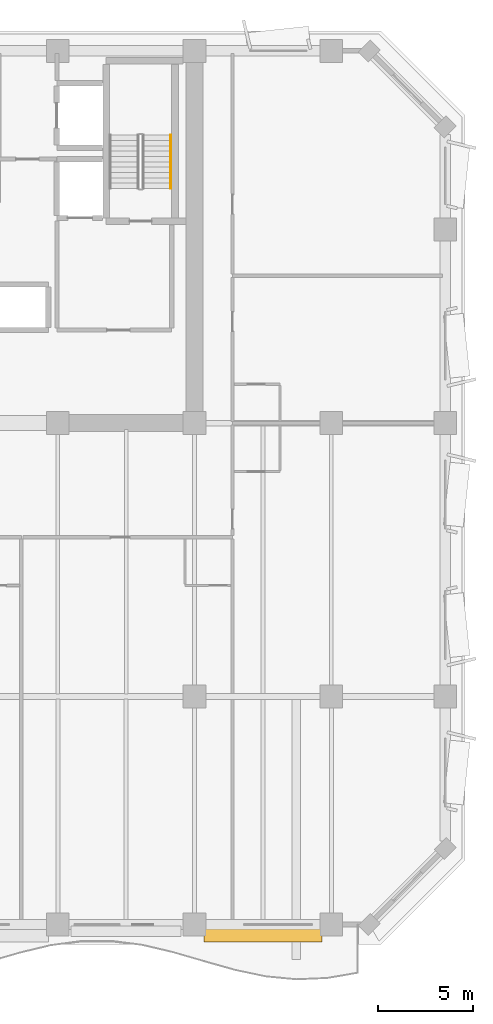
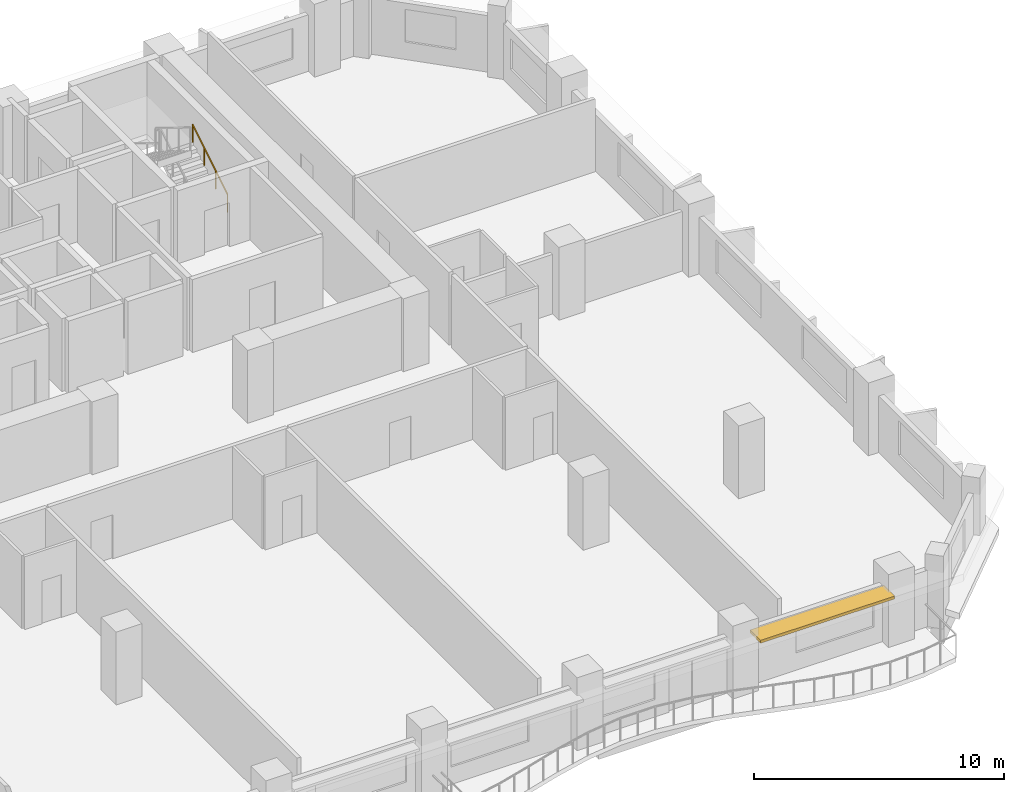
# One storey, part 14 of 14: 1 railing, 1 shading device.
"""IFC4 building model written with IfcOpenShell, lengths in metres."""

from ifc_helpers import new_model, si_unit, direction, frame, origin, origin_2d, place, context, subcontext, project, spatial, rectangle, extrude, material, layer, layer_set, type_object, element, save


model = new_model("IFC4")

# Units and contexts
model_context = context("Model", 3, precision=1e-05, world=origin(), true_north=direction((0.0, 1.0)))
body_context = subcontext(model_context, "Body", "Model", "MODEL_VIEW")
ifc_project = project(units=[si_unit("LENGTHUNIT", "METRE"), si_unit("AREAUNIT", "SQUARE_METRE"), si_unit("VOLUMEUNIT", "CUBIC_METRE"), si_unit("PLANEANGLEUNIT", "RADIAN"), si_unit("MASSUNIT", "GRAM", prefix="KILO")], contexts=[model_context])

# Site, building, storey
site_placement = place(None, origin())
site = spatial("IfcSite", under=ifc_project, at=site_placement, CompositionType="ELEMENT")
building_placement = place(site_placement, origin())
building = spatial("IfcBuilding", under=site, at=building_placement, Name="Kaelvorn Grand Hotel", CompositionType="ELEMENT")
storey_placement = place(building_placement, frame((0.0, 0.0, 205.35009765625)))
storey = spatial("IfcBuildingStorey", under=building, at=storey_placement, Name="L50", CompositionType="ELEMENT", Elevation=205.35009765625)

# Railing
ifc_material_1 = material(Name="Stainless Steel", Category="steel")
railing_type = type_object("IfcRailingType", Name="RL-HANDRAIL-900", PredefinedType="HANDRAIL", material=ifc_material_1)
railing_placement = place(storey_placement, frame((66.550048828125, 41.760009765625, 0.172607421875)))
element("IfcRailing", 1, at=railing_placement, inside=storey, type_object=railing_type, Name="L50 ST3 stair handrail 1", PredefinedType="HANDRAIL", context=body_context, shape_type="SweptSolid", body=[
    extrude(rectangle(XDim=0.048095703125, YDim=0.048095703125, at=origin_2d()), frame((0.0, 0.0, 0.8759765625), z_axis=(0.0, 0.851089632645, 0.525020415988), x_axis=(-1.0, 0.0, 0.0)), (0.0, 0.0, 1.0), 3.2900390625),
    extrude(rectangle(XDim=0.0419921875, YDim=0.0419921875, at=origin_2d()), origin(), (0.0, 0.0, 1.0), 0.851806640625),
    extrude(rectangle(XDim=0.0419921875, YDim=0.0419921875, at=origin_2d()), frame((0.0, 0.933349609375, 0.57568359375)), (0.0, 0.0, 1.0), 0.851806640625),
    extrude(rectangle(XDim=0.0419921875, YDim=0.0419921875, at=origin_2d()), frame((0.0, 1.86669921875, 1.151611328125)), (0.0, 0.0, 1.0), 0.851806640625),
    extrude(rectangle(XDim=0.0419921875, YDim=0.0419921875, at=origin_2d()), frame((0.0, 2.800048828125, 1.727294921875)), (0.0, 0.0, 1.0), 0.851806640625),
])

# Shading device
ifc_material_2 = material(Name="Precast concrete C45/55", Category="concrete")
ifc_layer = layer(ifc_material_2, 0.139892578125)
ifc_layer_set = layer_set([ifc_layer], Name="Precast concrete C45/55")
shading_device_type = type_object("IfcShadingDeviceType", Name="SHD-SUNSHADE-850", PredefinedType="USERDEFINED", material=ifc_layer_set)
shading_device_placement = place(storey_placement, frame((71.39990234375, 2.4951171875, 2.5498046875), z_axis=(0.0, 0.0, 1.0), x_axis=(1.0, 0.0, 0.0)))
element("IfcShadingDevice", 2, at=shading_device_placement, inside=storey, type_object=shading_device_type, Name="L50 Horizontal Concrete Sunshade Band SS-10", ObjectType="SUNSHADE", PredefinedType="USERDEFINED", context=body_context, shape_type="SweptSolid", body=[
    extrude(rectangle(XDim=6.199951171875, YDim=0.85009765625, at=origin_2d()), origin(), (0.0, 0.0, 1.0), 0.139892578125),
])

save(model, "model.ifc")
